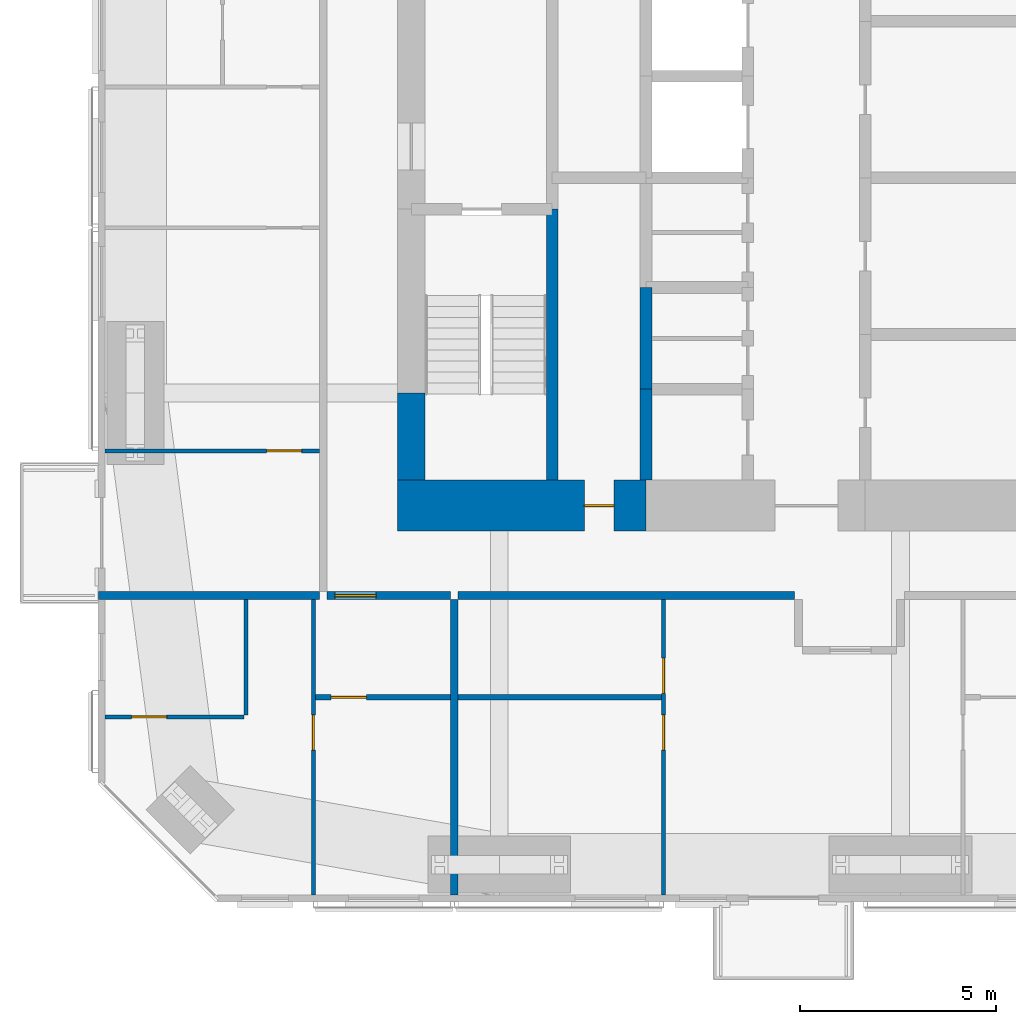
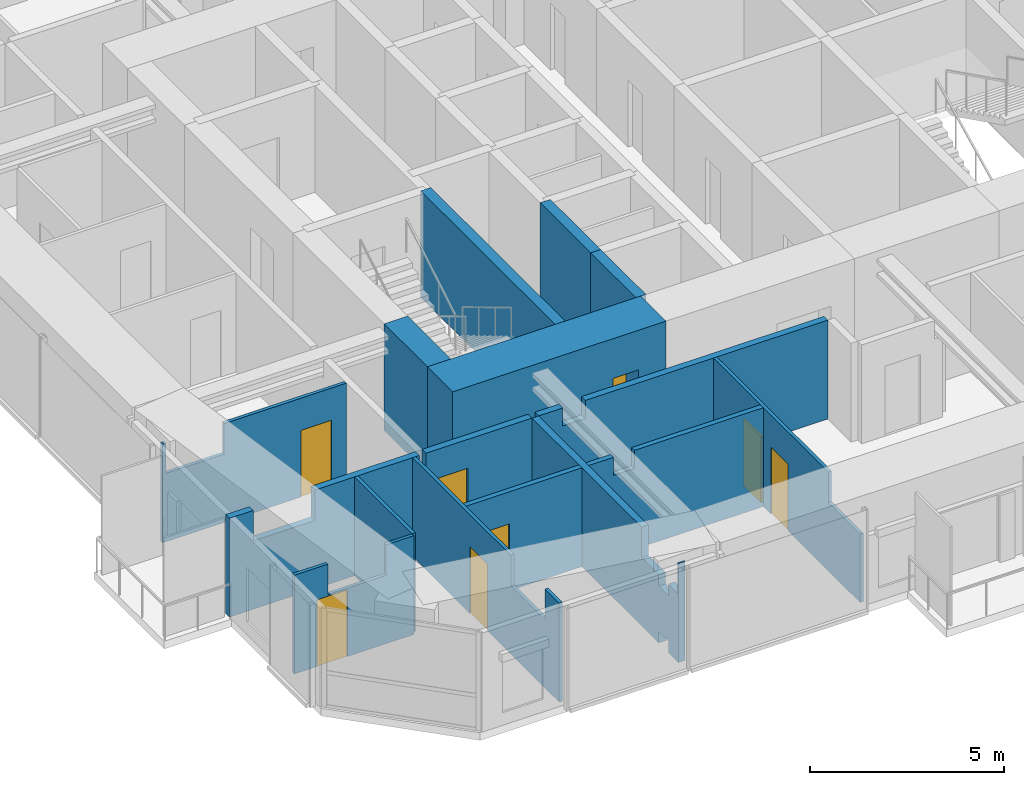
# One storey, part 15 of 23: 16 walls, 8 doors, 8 openings.
"""IFC4 building model written with IfcOpenShell, lengths in metres."""

from ifc_helpers import new_model, si_unit, direction, frame, frame_2d, origin, place, context, subcontext, project, spatial, polyline, rectangle, outline, extrude, material, layer, layer_set, constituent, constituent_set, type_object, element, fill, save


model = new_model("IFC4")

# Units and contexts
model_context = context("Model", 3, precision=1e-05, world=origin(), true_north=direction((0.0, 1.0)))
body_context = subcontext(model_context, "Body", "Model", "MODEL_VIEW")
ifc_project = project(units=[si_unit("LENGTHUNIT", "METRE"), si_unit("AREAUNIT", "SQUARE_METRE"), si_unit("VOLUMEUNIT", "CUBIC_METRE"), si_unit("PLANEANGLEUNIT", "RADIAN"), si_unit("MASSUNIT", "GRAM", prefix="KILO")], contexts=[model_context])

# Site, building, storey
site_placement = place(None, origin())
site = spatial("IfcSite", under=ifc_project, at=site_placement, CompositionType="ELEMENT")
building_placement = place(site_placement, origin())
building = spatial("IfcBuilding", under=site, at=building_placement, Name="Jalousie Tower", CompositionType="ELEMENT")
storey_placement = place(building_placement, frame((0.0, 0.0, 194.550048828125)))
storey = spatial("IfcBuildingStorey", under=building, at=storey_placement, Name="L53", CompositionType="ELEMENT", Elevation=194.550048828125)

# Wall, opening, door
ifc_material_1 = material(Name="Concrete block ASTM C90", Category="concrete")
ifc_constituent_1 = constituent(ifc_material_1, Name="Body")
ifc_material_2 = material(Name="Render")
ifc_constituent_2 = constituent(ifc_material_2, Name="Finish")
ifc_constituent_set_1 = constituent_set(constituents=[ifc_constituent_1, ifc_constituent_2])
wall_type_1 = type_object("IfcWallType", Name="BATHROOM WALL 150", PredefinedType="PLUMBINGWALL", material=ifc_constituent_set_1)
wall_1_placement = place(storey_placement, frame((17.550048828125, 5.22509765625, 0.0), z_axis=(0.0, 0.0, 1.0), x_axis=(1.0, 0.0, 0.0)))
wall_1 = element("IfcWall", 1, at=wall_1_placement, inside=storey, type_object=wall_type_1, Name="Bathroom Wall 150 L53", PredefinedType="PLUMBINGWALL", context=body_context, shape_type="SweptSolid", body=[
    extrude(rectangle(XDim=3.449951171875, YDim=0.14990234375, at=frame_2d((1.72509765625, 0.0))), origin(), (0.0, 0.0, 1.0), 3.10986328125),
])
opening_1_placement = place(wall_1_placement, frame((0.39990234375, 0.0, 0.0)))
opening_1 = element("IfcOpeningElement", 2, at=opening_1_placement, cuts=wall_1, Name="Opening D3", PredefinedType="OPENING", context=body_context, shape_type="SweptSolid", body=[
    extrude(rectangle(XDim=0.89990234375, YDim=2.10009765625, at=frame_2d((0.449951171875, 1.050048828125))), frame((0.0, 0.0849609375, 0.0), z_axis=(0.0, -1.0, 0.0), x_axis=(1.0, 0.0, 0.0)), (0.0, 0.0, 1.0), 0.169921875),
])
ifc_material_3 = material(Name="Timber door", Category="wood")
door_type_1 = type_object("IfcDoorType", Name="BATHROOM DOOR 900", OperationType="SINGLE_SWING_LEFT", PredefinedType="DOOR", material=ifc_material_3)
door_1_placement = place(opening_1_placement, origin())
door_1 = element("IfcDoor", 3, at=door_1_placement, inside=storey, type_object=door_type_1, Name="Apartment 5301 bedroom 1 bathroom door", OperationType="SINGLE_SWING_LEFT", OverallHeight=2.10009765625, OverallWidth=0.89990234375, PredefinedType="DOOR", context=body_context, shape_type="SweptSolid", body=[
    extrude(rectangle(XDim=0.89990234375, YDim=2.10009765625, at=frame_2d((0.449951171875, 1.050048828125))), frame((0.0, 0.02490234375, 0.0), z_axis=(0.0, -1.0, 0.0), x_axis=(1.0, 0.0, 0.0)), (0.0, 0.0, 1.0), 0.050048828125),
])
fill(opening_1, door_1)

# Wall
wall_2_placement = place(storey_placement, frame((21.199951171875, 5.22509765625, 0.0), z_axis=(0.0, 0.0, 1.0), x_axis=(1.0, 0.0, 0.0)))
element("IfcWall", 4, at=wall_2_placement, inside=storey, type_object=wall_type_1, Name="Bathroom Wall 150 L53", PredefinedType="PLUMBINGWALL", context=body_context, shape_type="SweptSolid", body=[
    extrude(outline(polyline([(0.0, 0.0), (5.199951171875, 0.0), (5.199951171875, 3.10986328125), (1.3623046875, 3.10986328125), (1.3623046875, 2.541015625), (0.737548828125, 2.541015625), (0.737548828125, 3.10986328125), (0.0, 3.10986328125), (0.0, 0.0)])), frame((0.0, 0.074951171875, 0.0), z_axis=(0.0, -1.0, 0.0), x_axis=(1.0, 0.0, 0.0)), (0.0, 0.0, 1.0), 0.14990234375),
])

# Wall, opening, door
ifc_material_4 = material(Name="Concrete f'c 120 MPa", Category="concrete")
ifc_layer_1 = layer(ifc_material_4, 1.300048828125)
ifc_layer_set_1 = layer_set([ifc_layer_1], Name="Concrete f'c 120 MPa")
wall_type_2 = type_object("IfcWallType", Name="CORE WALL 1300", PredefinedType="SHEAR", material=ifc_layer_set_1)
wall_3_placement = place(storey_placement, frame((19.64990234375, 10.125, 0.0), z_axis=(0.0, 0.0, 1.0), x_axis=(1.0, 0.0, 0.0)))
wall_3 = element("IfcWall", 5, at=wall_3_placement, inside=storey, type_object=wall_type_2, Name="Core wall SA L53", PredefinedType="SHEAR", context=body_context, shape_type="SweptSolid", body=[
    extrude(rectangle(XDim=6.35009765625, YDim=1.300048828125, at=frame_2d((3.175048828125, 0.0))), origin(), (0.0, 0.0, 1.0), 3.349853515625),
])
opening_2_placement = place(wall_3_placement, frame((4.77490234375, 0.0, 0.0)))
opening_2 = element("IfcOpeningElement", 6, at=opening_2_placement, cuts=wall_3, Name="Opening D16", PredefinedType="OPENING", context=body_context, shape_type="SweptSolid", body=[
    extrude(rectangle(XDim=0.75, YDim=2.10009765625, at=frame_2d((0.375, 1.050048828125))), frame((0.0, 0.659912109375, 0.0), z_axis=(0.0, -1.0, 0.0), x_axis=(1.0, 0.0, 0.0)), (0.0, 0.0, 1.0), 1.320068359375),
])
ifc_material_5 = material(Name="Steel fire door", Category="steel")
door_type_2 = type_object("IfcDoorType", Name="RISER DOOR 750", OperationType="SINGLE_SWING_LEFT", PredefinedType="DOOR", material=ifc_material_5)
door_2_placement = place(opening_2_placement, origin())
door_2 = element("IfcDoor", 7, at=door_2_placement, inside=storey, type_object=door_type_2, Name="South riser door", OperationType="SINGLE_SWING_LEFT", OverallHeight=2.10009765625, OverallWidth=0.75, PredefinedType="DOOR", context=body_context, shape_type="SweptSolid", body=[
    extrude(rectangle(XDim=0.75, YDim=2.10009765625, at=frame_2d((0.375, 1.050048828125))), frame((0.0, 0.02490234375, 0.0), z_axis=(0.0, -1.0, 0.0), x_axis=(1.0, 0.0, 0.0)), (0.0, 0.0, 1.0), 0.050048828125),
])
fill(opening_2, door_2)

# Walls
ifc_material_6 = material(Name="Concrete f'c 120 MPa", Category="concrete")
ifc_layer_2 = layer(ifc_material_6, 0.300048828125)
ifc_layer_set_2 = layer_set([ifc_layer_2], Name="Concrete f'c 120 MPa")
wall_type_3 = type_object("IfcWallType", Name="CORE WALL 300", PredefinedType="SHEAR", material=ifc_layer_set_2)
wall_4_placement = place(storey_placement, frame((23.60009765625, 10.77490234375, 0.0), z_axis=(0.0, 0.0, 1.0), x_axis=(0.0, 1.0, 0.0)))
element("IfcWall", 8, at=wall_4_placement, inside=storey, type_object=wall_type_3, Name="Core wall X23.6A L53", PredefinedType="SHEAR", context=body_context, shape_type="SweptSolid", body=[
    extrude(rectangle(XDim=6.925048828125, YDim=0.300048828125, at=frame_2d((3.46240234375, 0.0))), origin(), (0.0, 0.0, 1.0), 3.349853515625),
])
wall_5_placement = place(storey_placement, frame((26.0, 10.77490234375, 0.0), z_axis=(0.0, 0.0, 1.0), x_axis=(0.0, 1.0, 0.0)))
element("IfcWall", 9, at=wall_5_placement, inside=storey, type_object=wall_type_3, Name="Core wall X26A L53", PredefinedType="SHEAR", context=body_context, shape_type="SweptSolid", body=[
    extrude(rectangle(XDim=2.3251953125, YDim=0.300048828125, at=frame_2d((1.16259765625, 0.0))), origin(), (0.0, 0.0, 1.0), 3.349853515625),
])
wall_6_placement = place(storey_placement, frame((26.0, 13.10009765625, 0.0), z_axis=(0.0, 0.0, 1.0), x_axis=(0.0, 1.0, 0.0)))
element("IfcWall", 10, at=wall_6_placement, inside=storey, type_object=wall_type_3, Name="Core wall X26B L53", PredefinedType="SHEAR", context=body_context, shape_type="SweptSolid", body=[
    extrude(rectangle(XDim=2.599853515625, YDim=0.300048828125, at=frame_2d((1.2998046875, 0.0))), origin(), (0.0, 0.0, 1.0), 3.349853515625),
])
ifc_material_7 = material(Name="Concrete f'c 120 MPa", Category="concrete")
ifc_layer_3 = layer(ifc_material_7, 0.699951171875)
ifc_layer_set_3 = layer_set([ifc_layer_3], Name="Concrete f'c 120 MPa")
wall_type_4 = type_object("IfcWallType", Name="CORE WALL 700", PredefinedType="SHEAR", material=ifc_layer_set_3)
wall_7_placement = place(storey_placement, frame((20.0, 13.0, 0.0), z_axis=(0.0, 0.0, 1.0), x_axis=(0.0, -1.0, 0.0)))
element("IfcWall", 11, at=wall_7_placement, inside=storey, type_object=wall_type_4, Name="Core wall WD L53", PredefinedType="SHEAR", context=body_context, shape_type="SweptSolid", body=[
    extrude(rectangle(XDim=2.22509765625, YDim=0.699951171875, at=frame_2d((1.112548828125, 0.0))), origin(), (0.0, 0.0, 1.0), 3.349853515625),
])

# Wall, opening, door
ifc_material_8 = material(Name="Concrete block ASTM C90", Category="concrete")
ifc_constituent_3 = constituent(ifc_material_8, Name="Body")
ifc_material_9 = material(Name="Render")
ifc_constituent_4 = constituent(ifc_material_9, Name="Finish")
ifc_constituent_set_2 = constituent_set(constituents=[ifc_constituent_3, ifc_constituent_4])
wall_type_5 = type_object("IfcWallType", Name="CORRIDOR WALL 200", PredefinedType="PARTITIONING", material=ifc_constituent_set_2)
wall_8_placement = place(storey_placement, frame((17.85009765625, 7.824951171875, 0.0), z_axis=(0.0, 0.0, 1.0), x_axis=(1.0, 0.0, 0.0)))
wall_8 = element("IfcWall", 12, at=wall_8_placement, inside=storey, type_object=wall_type_5, Name="Corridor Wall 200 L53", PredefinedType="PARTITIONING", context=body_context, shape_type="SweptSolid", body=[
    extrude(rectangle(XDim=3.14990234375, YDim=0.199951171875, at=frame_2d((1.574951171875, 0.0))), origin(), (0.0, 0.0, 1.0), 3.10986328125),
])
opening_3_placement = place(wall_8_placement, frame((0.199951171875, 0.0, 0.0)))
opening_3 = element("IfcOpeningElement", 13, at=opening_3_placement, cuts=wall_8, Name="Opening D1", PredefinedType="OPENING", context=body_context, shape_type="SweptSolid", body=[
    extrude(rectangle(XDim=1.050048828125, YDim=2.199951171875, at=frame_2d((0.52490234375, 1.10009765625))), frame((0.0, 0.10986328125, 0.0), z_axis=(0.0, -1.0, 0.0), x_axis=(1.0, 0.0, 0.0)), (0.0, 0.0, 1.0), 0.219970703125),
])
ifc_material_10 = material(Name="Timber fire door", Category="wood")
door_type_3 = type_object("IfcDoorType", Name="APARTMENT ENTRANCE DOOR 1050", OperationType="SINGLE_SWING_LEFT", PredefinedType="DOOR", material=ifc_material_10)
door_3_placement = place(opening_3_placement, frame((1.050048828125, 0.0, 0.0), z_axis=(0.0, 0.0, 1.0), x_axis=(-1.0, 0.0, 0.0)))
door_3 = element("IfcDoor", 14, at=door_3_placement, inside=storey, type_object=door_type_3, Name="Apartment 5301 entrance", OperationType="SINGLE_SWING_RIGHT", OverallHeight=2.199951171875, OverallWidth=1.050048828125, PredefinedType="DOOR", context=body_context, shape_type="SweptSolid", body=[
    extrude(rectangle(XDim=1.050048828125, YDim=2.199951171875, at=frame_2d((0.52490234375, 1.10009765625))), frame((0.0, 0.02490234375, 0.0), z_axis=(0.0, -1.0, 0.0), x_axis=(1.0, 0.0, 0.0)), (0.0, 0.0, 1.0), 0.050048828125),
])
fill(opening_3, door_3)

# Wall
wall_9_placement = place(storey_placement, frame((21.199951171875, 7.824951171875, 0.0), z_axis=(0.0, 0.0, 1.0), x_axis=(1.0, 0.0, 0.0)))
element("IfcWall", 15, at=wall_9_placement, inside=storey, type_object=wall_type_5, Name="Corridor Wall 200 L53", PredefinedType="PARTITIONING", context=body_context, shape_type="SweptSolid", body=[
    extrude(outline(polyline([(0.0, 0.0), (8.60009765625, 0.0), (8.60009765625, 3.10986328125), (1.38720703125, 3.10986328125), (1.38720703125, 2.541015625), (0.712646484375, 2.541015625), (0.712646484375, 3.10986328125), (0.0, 3.10986328125), (0.0, 0.0)])), frame((0.0, 0.10009765625, 0.0), z_axis=(0.0, -1.0, 0.0), x_axis=(1.0, 0.0, 0.0)), (0.0, 0.0, 1.0), 0.199951171875),
])

# Wall, opening, door
ifc_material_11 = material(Name="Gypsum board", Category="gypsum")
ifc_constituent_5 = constituent(ifc_material_11, Name="Body")
ifc_material_12 = material(Name="Light-gauge steel studs ASTM A653 SS Grade 33", Category="steel")
ifc_constituent_6 = constituent(ifc_material_12, Name="Framing")
ifc_constituent_set_3 = constituent_set(constituents=[ifc_constituent_5, ifc_constituent_6])
wall_type_6 = type_object("IfcWallType", Name="PARTITION 100", PredefinedType="PARTITIONING", material=ifc_constituent_set_3)
wall_10_placement = place(storey_placement, frame((17.5, 0.175048828125, 0.0), z_axis=(0.0, 0.0, 1.0), x_axis=(0.0, 1.0, 0.0)))
wall_10 = element("IfcWall", 16, at=wall_10_placement, inside=storey, type_object=wall_type_6, Name="Partition 100 L53", PredefinedType="PARTITIONING", context=body_context, shape_type="SweptSolid", body=[
    extrude(outline(polyline([(0.0, 0.0), (7.550048828125, 0.0), (7.550048828125, 3.10986328125), (2.489013671875, 3.10986328125), (2.489013671875, 2.14990234375), (0.7421875, 2.14990234375), (0.7421875, 3.10986328125), (0.0, 3.10986328125), (0.0, 0.0)])), frame((0.0, 0.050048828125, 0.0), z_axis=(0.0, -1.0, 0.0), x_axis=(1.0, 0.0, 0.0)), (0.0, 0.0, 1.0), 0.10009765625),
])
opening_4_placement = place(wall_10_placement, frame((3.699951171875, 0.0, 0.0)))
opening_4 = element("IfcOpeningElement", 17, at=opening_4_placement, cuts=wall_10, Name="Opening D2", PredefinedType="OPENING", context=body_context, shape_type="SweptSolid", body=[
    extrude(rectangle(XDim=0.89990234375, YDim=2.10009765625, at=frame_2d((0.449951171875, 1.050048828125))), frame((0.0, 0.06005859375, 0.0), z_axis=(0.0, -1.0, 0.0), x_axis=(1.0, 0.0, 0.0)), (0.0, 0.0, 1.0), 0.1201171875),
])
ifc_material_13 = material(Name="Timber door", Category="wood")
door_type_4 = type_object("IfcDoorType", Name="BEDROOM DOOR 900", OperationType="SINGLE_SWING_LEFT", PredefinedType="DOOR", material=ifc_material_13)
door_4_placement = place(opening_4_placement, frame((0.89990234375, 0.0, 0.0), z_axis=(0.0, 0.0, 1.0), x_axis=(-1.0, 0.0, 0.0)))
door_4 = element("IfcDoor", 18, at=door_4_placement, inside=storey, type_object=door_type_4, Name="Apartment 5301 bedroom 1 door", OperationType="SINGLE_SWING_LEFT", OverallHeight=2.10009765625, OverallWidth=0.89990234375, PredefinedType="DOOR", context=body_context, shape_type="SweptSolid", body=[
    extrude(rectangle(XDim=0.89990234375, YDim=2.10009765625, at=frame_2d((0.449951171875, 1.050048828125))), frame((0.0, 0.02490234375, 0.0), z_axis=(0.0, -1.0, 0.0), x_axis=(1.0, 0.0, 0.0)), (0.0, 0.0, 1.0), 0.050048828125),
])
fill(opening_4, door_4)

wall_11_placement = place(storey_placement, frame((12.175048828125, 4.72509765625, 0.0), z_axis=(0.0, 0.0, 1.0), x_axis=(1.0, 0.0, 0.0)))
wall_11 = element("IfcWall", 19, at=wall_11_placement, inside=storey, type_object=wall_type_6, Name="Partition 100 L53", PredefinedType="PARTITIONING", context=body_context, shape_type="SweptSolid", body=[
    extrude(outline(polyline([(0.0, 0.0), (3.550048828125, 0.0), (3.550048828125, 3.10986328125), (2.72900390625, 3.10986328125), (2.72900390625, 2.14990234375), (0.994140625, 2.14990234375), (0.994140625, 3.10986328125), (0.0, 3.10986328125), (0.0, 0.0)])), frame((0.0, 0.050048828125, 0.0), z_axis=(0.0, -1.0, 0.0), x_axis=(1.0, 0.0, 0.0)), (0.0, 0.0, 1.0), 0.10009765625),
])
opening_5_placement = place(wall_11_placement, frame((0.675048828125, 0.0, 0.0)))
opening_5 = element("IfcOpeningElement", 20, at=opening_5_placement, cuts=wall_11, Name="Opening D7", PredefinedType="OPENING", context=body_context, shape_type="SweptSolid", body=[
    extrude(rectangle(XDim=0.89990234375, YDim=2.10009765625, at=frame_2d((0.449951171875, 1.050048828125))), frame((0.0, 0.06005859375, 0.0), z_axis=(0.0, -1.0, 0.0), x_axis=(1.0, 0.0, 0.0)), (0.0, 0.0, 1.0), 0.1201171875),
])
ifc_material_14 = material(Name="Timber door", Category="wood")
door_type_5 = type_object("IfcDoorType", Name="INTERNAL DOOR 900", OperationType="SINGLE_SWING_LEFT", PredefinedType="DOOR", material=ifc_material_14)
door_5_placement = place(opening_5_placement, origin())
door_5 = element("IfcDoor", 21, at=door_5_placement, inside=storey, type_object=door_type_5, Name="Apartment 5301 kitchen door", OperationType="SINGLE_SWING_LEFT", OverallHeight=2.10009765625, OverallWidth=0.89990234375, PredefinedType="DOOR", context=body_context, shape_type="SweptSolid", body=[
    extrude(rectangle(XDim=0.89990234375, YDim=2.10009765625, at=frame_2d((0.449951171875, 1.050048828125))), frame((0.0, 0.02490234375, 0.0), z_axis=(0.0, -1.0, 0.0), x_axis=(1.0, 0.0, 0.0)), (0.0, 0.0, 1.0), 0.050048828125),
])
fill(opening_5, door_5)

# Wall
wall_12_placement = place(storey_placement, frame((15.77490234375, 4.77490234375, 0.0), z_axis=(0.0, 0.0, 1.0), x_axis=(0.0, 1.0, 0.0)))
element("IfcWall", 22, at=wall_12_placement, inside=storey, type_object=wall_type_6, Name="Partition 100 L53", PredefinedType="PARTITIONING", context=body_context, shape_type="SweptSolid", body=[
    extrude(rectangle(XDim=2.9501953125, YDim=0.10009765625, at=frame_2d((1.47509765625, 0.0))), origin(), (0.0, 0.0, 1.0), 3.10986328125),
])

# Wall, openings, doors
wall_13_placement = place(storey_placement, frame((26.449951171875, 0.175048828125, 0.0), z_axis=(0.0, 0.0, 1.0), x_axis=(0.0, 1.0, 0.0)))
wall_13 = element("IfcWall", 23, at=wall_13_placement, inside=storey, type_object=wall_type_6, Name="Partition 100 L53", PredefinedType="PARTITIONING", context=body_context, shape_type="SweptSolid", body=[
    extrude(outline(polyline([(0.0, 0.0), (7.550048828125, 0.0), (7.550048828125, 3.10986328125), (1.635009765625, 3.10986328125), (1.635009765625, 2.14990234375), (0.0, 2.14990234375), (0.0, 3.10986328125), (0.0, 0.0)])), frame((0.0, 0.050048828125, 0.0), z_axis=(0.0, -1.0, 0.0), x_axis=(1.0, 0.0, 0.0)), (0.0, 0.0, 1.0), 0.10009765625),
])
opening_6_placement = place(wall_13_placement, frame((3.699951171875, 0.0, 0.0)))
opening_6 = element("IfcOpeningElement", 24, at=opening_6_placement, cuts=wall_13, Name="Opening D2", PredefinedType="OPENING", context=body_context, shape_type="SweptSolid", body=[
    extrude(rectangle(XDim=0.89990234375, YDim=2.10009765625, at=frame_2d((0.449951171875, 1.050048828125))), frame((0.0, 0.06005859375, 0.0), z_axis=(0.0, -1.0, 0.0), x_axis=(1.0, 0.0, 0.0)), (0.0, 0.0, 1.0), 0.1201171875),
])
opening_7_placement = place(wall_13_placement, frame((5.14990234375, 0.0, 0.0)))
opening_7 = element("IfcOpeningElement", 25, at=opening_7_placement, cuts=wall_13, Name="Opening D7", PredefinedType="OPENING", context=body_context, shape_type="SweptSolid", body=[
    extrude(rectangle(XDim=0.89990234375, YDim=2.10009765625, at=frame_2d((0.449951171875, 1.050048828125))), frame((0.0, 0.06005859375, 0.0), z_axis=(0.0, -1.0, 0.0), x_axis=(1.0, 0.0, 0.0)), (0.0, 0.0, 1.0), 0.1201171875),
])
door_6_placement = place(opening_6_placement, origin())
door_6 = element("IfcDoor", 26, at=door_6_placement, inside=storey, type_object=door_type_4, Name="Apartment 5302 bedroom 1 door", OperationType="SINGLE_SWING_RIGHT", OverallHeight=2.10009765625, OverallWidth=0.89990234375, PredefinedType="DOOR", context=body_context, shape_type="SweptSolid", body=[
    extrude(rectangle(XDim=0.89990234375, YDim=2.10009765625, at=frame_2d((0.449951171875, 1.050048828125))), frame((0.0, 0.02490234375, 0.0), z_axis=(0.0, -1.0, 0.0), x_axis=(1.0, 0.0, 0.0)), (0.0, 0.0, 1.0), 0.050048828125),
])
fill(opening_6, door_6)
door_7_placement = place(opening_7_placement, origin())
door_7 = element("IfcDoor", 27, at=door_7_placement, inside=storey, type_object=door_type_5, Name="Apartment 5302 bathroom door", OperationType="SINGLE_SWING_LEFT", OverallHeight=2.10009765625, OverallWidth=0.89990234375, PredefinedType="DOOR", context=body_context, shape_type="SweptSolid", body=[
    extrude(rectangle(XDim=0.89990234375, YDim=2.10009765625, at=frame_2d((0.449951171875, 1.050048828125))), frame((0.0, 0.02490234375, 0.0), z_axis=(0.0, -1.0, 0.0), x_axis=(1.0, 0.0, 0.0)), (0.0, 0.0, 1.0), 0.050048828125),
])
fill(opening_7, door_7)

# Wall, opening, door
wall_14_placement = place(storey_placement, frame((12.175048828125, 11.52490234375, 0.0), z_axis=(0.0, 0.0, 1.0), x_axis=(1.0, 0.0, 0.0)))
wall_14 = element("IfcWall", 28, at=wall_14_placement, inside=storey, type_object=wall_type_6, Name="Partition 100 L53", PredefinedType="PARTITIONING", context=body_context, shape_type="SweptSolid", body=[
    extrude(outline(polyline([(0.0, 0.0), (5.474853515625, 0.0), (5.47509765625, 3.10986328125), (1.8359375, 3.10986328125), (1.8359375, 2.14990234375), (0.101318359375, 2.14990234375), (0.101318359375, 3.10986328125), (0.0, 3.10986328125), (0.0, 0.0)])), frame((0.0, 0.050048828125, 0.0), z_axis=(0.0, -1.0, 0.0), x_axis=(1.0, 0.0, 0.0)), (0.0, 0.0, 1.0), 0.10009765625),
])
opening_8_placement = place(wall_14_placement, frame((4.125, 0.0, 0.0)))
opening_8 = element("IfcOpeningElement", 29, at=opening_8_placement, cuts=wall_14, Name="Opening D2", PredefinedType="OPENING", context=body_context, shape_type="SweptSolid", body=[
    extrude(rectangle(XDim=0.89990234375, YDim=2.10009765625, at=frame_2d((0.449951171875, 1.050048828125))), frame((0.0, 0.06005859375, 0.0), z_axis=(0.0, -1.0, 0.0), x_axis=(1.0, 0.0, 0.0)), (0.0, 0.0, 1.0), 0.1201171875),
])
door_8_placement = place(opening_8_placement, origin())
door_8 = element("IfcDoor", 30, at=door_8_placement, inside=storey, type_object=door_type_4, Name="Apartment 5306 bedroom 1 door", OperationType="SINGLE_SWING_RIGHT", OverallHeight=2.10009765625, OverallWidth=0.89990234375, PredefinedType="DOOR", context=body_context, shape_type="SweptSolid", body=[
    extrude(rectangle(XDim=0.89990234375, YDim=2.10009765625, at=frame_2d((0.449951171875, 1.050048828125))), frame((0.0, 0.02490234375, 0.0), z_axis=(0.0, -1.0, 0.0), x_axis=(1.0, 0.0, 0.0)), (0.0, 0.0, 1.0), 0.050048828125),
])
fill(opening_8, door_8)

# Walls
ifc_material_15 = material(Name="Concrete block ASTM C90", Category="concrete")
ifc_constituent_7 = constituent(ifc_material_15, Name="Body")
ifc_material_16 = material(Name="Render")
ifc_constituent_8 = constituent(ifc_material_16, Name="Finish")
ifc_constituent_set_4 = constituent_set(constituents=[ifc_constituent_7, ifc_constituent_8])
wall_type_7 = type_object("IfcWallType", Name="PARTY WALL 200", PredefinedType="PARTITIONING", material=ifc_constituent_set_4)
wall_15_placement = place(storey_placement, frame((21.10009765625, 0.175048828125, 0.0), z_axis=(0.0, 0.0, 1.0), x_axis=(0.0, 1.0, 0.0)))
element("IfcWall", 31, at=wall_15_placement, inside=storey, type_object=wall_type_7, Name="Party Wall 200 L53", PredefinedType="PARTITIONING", context=body_context, shape_type="SweptSolid", body=[
    extrude(outline(polyline([(0.054443359375, 3.10986328125), (0.0, 3.10986328125), (0.0, 0.0), (0.52880859375, 0.0), (0.52880859375, 0.36181640625), (1.021240234375, 0.36181640625), (1.021240234375, 0.0), (7.550048828125, 0.0), (7.550048828125, 3.10986328125), (1.902587890625, 3.10986328125), (1.902587890625, 2.14990234375), (1.021240234375, 2.14990234375), (1.021240234375, 1.7880859375), (0.52880859375, 1.7880859375), (0.52880859375, 2.14990234375), (0.054443359375, 2.14990234375), (0.054443359375, 3.10986328125)])), frame((0.0, 0.10009765625, 0.0), z_axis=(0.0, -1.0, 0.0), x_axis=(1.0, 0.0, 0.0)), (0.0, 0.0, 1.0), 0.199951171875),
])
wall_16_placement = place(storey_placement, frame((12.0, 7.824951171875, 0.0), z_axis=(0.0, 0.0, 1.0), x_axis=(1.0, 0.0, 0.0)))
element("IfcWall", 32, at=wall_16_placement, inside=storey, type_object=wall_type_7, Name="Party Wall 200 L53", PredefinedType="PARTITIONING", context=body_context, shape_type="SweptSolid", body=[
    extrude(outline(polyline([(0.0, 0.0), (5.64990234375, 0.0), (5.64990234375, 3.10986328125), (2.54736328125, 3.10986328125), (2.54736328125, 2.14990234375), (0.711669921875, 2.14990234375), (0.711669921875, 3.10986328125), (0.0, 3.10986328125), (0.0, 0.0)])), frame((0.0, 0.10009765625, 0.0), z_axis=(0.0, -1.0, 0.0), x_axis=(1.0, 0.0, 0.0)), (0.0, 0.0, 1.0), 0.199951171875),
])

save(model, "model.ifc")
